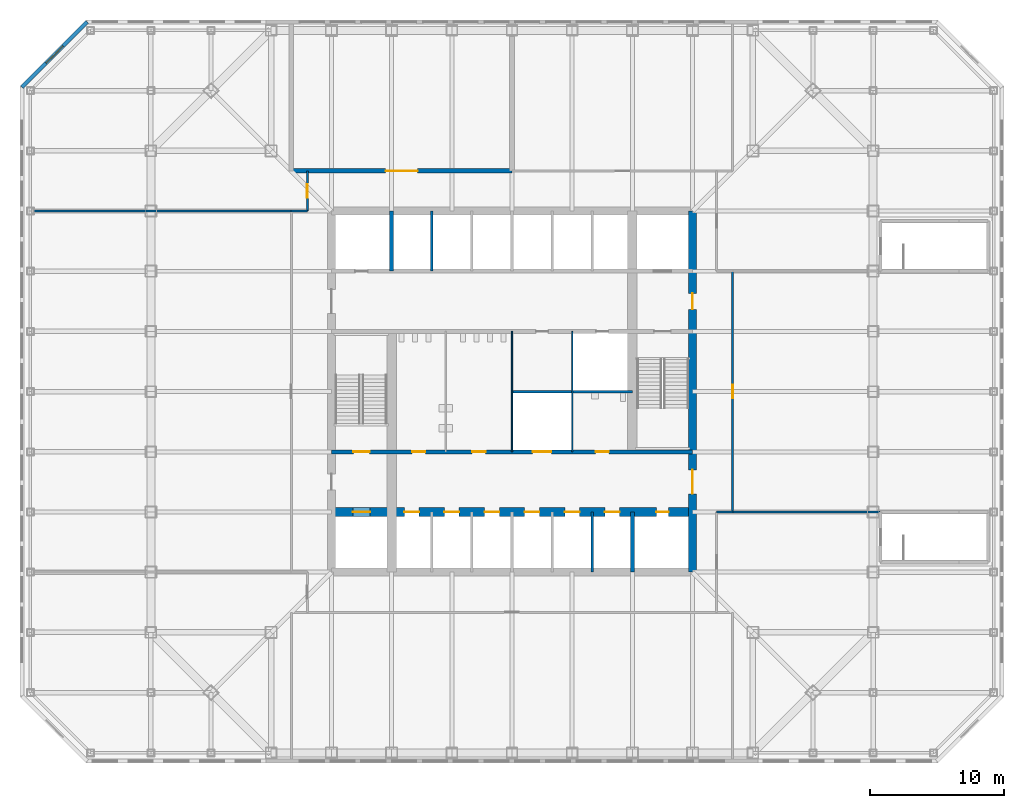
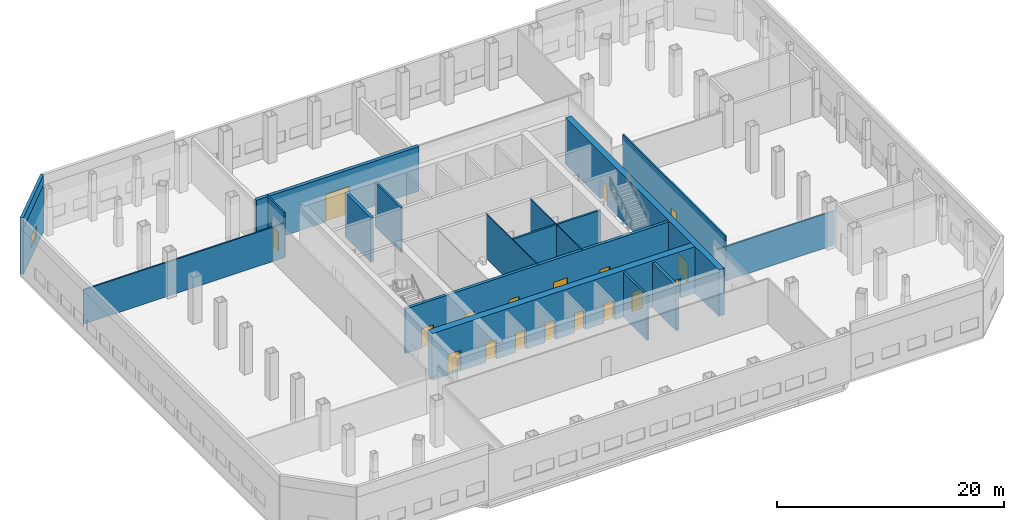
# One storey, part 8 of 14: 19 walls, 18 doors, 1 window, 19 openings.
"""IFC4 building model written with IfcOpenShell, lengths in metres."""

import ifcopenshell
import ifcopenshell.guid

model = None  # the IFC model being written
_history = None  # IfcOwnerHistory: only IFC2X3 demands one
_inside = {}  # id of a spatial element -> (the spatial element, [elements in it])
_under = {}  # id of a project, library or spatial element -> (it, [spatial elements below it])
_declared = {}  # id of a project -> (the project, [libraries it declares])
_typed = {}  # id of a type object -> (the type object, [elements of that type])
_made_of = {}  # id of a material, layer set ... -> (it, [elements and type objects made of it])


def new_model(schema):
    """Start an empty IFC model of exactly this schema.

    Asked for "IFC4X3", IfcOpenShell would pick the latest addendum, in which some entities
    have other attributes; the version numbers below select the first issue.
    IFC2X3 requires an IfcOwnerHistory on every rooted entity: one is made here for all.
    """
    global model, _history
    if schema == "IFC4X3":
        model = ifcopenshell.file(schema_version=(4, 3, 0, 0))
    else:
        model = ifcopenshell.file(schema=schema)
    _inside.clear()
    _under.clear()
    _declared.clear()
    _typed.clear()
    _made_of.clear()
    _history = None
    if model.schema == "IFC2X3":
        org = make("IfcOrganization", Name="unknown")
        user = make(
            "IfcPersonAndOrganization",
            ThePerson=make("IfcPerson", FamilyName="unknown"),
            TheOrganization=org,
        )
        app = make(
            "IfcApplication",
            ApplicationDeveloper=org,
            Version="unknown",
            ApplicationFullName="unknown",
            ApplicationIdentifier="unknown",
        )
        _history = make(
            "IfcOwnerHistory",
            OwningUser=user,
            OwningApplication=app,
            ChangeAction="ADDED",
            CreationDate=0,
        )
    return model


def make(cls, **values):
    """One entity of the class cls with the attributes given. An attribute that is None is left unset."""
    return model.create_entity(
        cls, **{name: value for name, value in values.items() if value is not None}
    )


def rooted(cls, **values):
    """An entity with a GlobalId (a new one), such as an element, a storey or a relation."""
    return make(cls, GlobalId=ifcopenshell.guid.new(), OwnerHistory=_history, **values)


def si_unit(unit_type, name, prefix=None):
    """IfcSIUnit, for example si_unit("LENGTHUNIT", "METRE", prefix="MILLI")."""
    return make("IfcSIUnit", UnitType=unit_type, Prefix=prefix, Name=name)


def assignment(units):
    """IfcUnitAssignment: the units of a project."""
    return None if units is None else make("IfcUnitAssignment", Units=units)


def point(xyz):
    """IfcCartesianPoint."""
    return None if xyz is None else make("IfcCartesianPoint", Coordinates=xyz)


def direction(xyz):
    """IfcDirection."""
    return None if xyz is None else make("IfcDirection", DirectionRatios=xyz)


def frame(location, z_axis=None, x_axis=None):
    """IfcAxis2Placement3D, a coordinate frame: its origin and axes. An axis left out is left unset."""
    return make(
        "IfcAxis2Placement3D",
        Location=point(location),
        Axis=direction(z_axis),
        RefDirection=direction(x_axis),
    )


def frame_2d(location, x_axis=None):
    """IfcAxis2Placement2D, a coordinate frame in the plane: its origin and x axis."""
    return make(
        "IfcAxis2Placement2D", Location=point(location), RefDirection=direction(x_axis)
    )


def origin():
    """The frame at (0, 0, 0) with its axes left unset."""
    return frame((0.0, 0.0, 0.0))


def place(relative_to, where):
    """IfcLocalPlacement: puts the frame where relative to a parent placement (None: the world)."""
    return make(
        "IfcLocalPlacement", PlacementRelTo=relative_to, RelativePlacement=where
    )


def context(
    kind, dimensions, precision=None, world=None, true_north=None, identifier=None
):
    """IfcGeometricRepresentationContext, for example the 3D "Model" context."""
    return make(
        "IfcGeometricRepresentationContext",
        ContextIdentifier=identifier,
        ContextType=kind,
        CoordinateSpaceDimension=dimensions,
        Precision=precision,
        WorldCoordinateSystem=world,
        TrueNorth=true_north,
    )


def subcontext(parent, identifier, kind, view, scale=None):
    """IfcGeometricRepresentationSubContext, for example "Body" below "Model"."""
    return make(
        "IfcGeometricRepresentationSubContext",
        ContextIdentifier=identifier,
        ContextType=kind,
        ParentContext=parent,
        TargetScale=scale,
        TargetView=view,
    )


def project(units=None, contexts=None):
    """IfcProject with its units and contexts."""
    return rooted(
        "IfcProject",
        Name="project",
        RepresentationContexts=contexts,
        UnitsInContext=assignment(units),
    )


def spatial(cls, under=None, at=None, **own):
    """A site, building, storey or space (cls), placed at a placement, below another one or the project."""
    s = rooted(cls, ObjectPlacement=at, **own)
    if under is not None:
        _under.setdefault(under.id(), (under, []))[1].append(s)
    return s


def profile(cls, at=None, kind="AREA", **sizes):
    """A parametric profile (cls). Its sizes go by their IFC names, for example OverallWidth=200.0."""
    return make(cls, ProfileType=kind, Position=at, **sizes)


def rectangle(**sizes):
    """IfcRectangleProfileDef."""
    return profile("IfcRectangleProfileDef", **sizes)


def extrude(swept, where, along, depth):
    """IfcExtrudedAreaSolid: the profile swept, set in the frame where, extruded along a direction by depth."""
    return make(
        "IfcExtrudedAreaSolid",
        SweptArea=swept,
        Position=where,
        ExtrudedDirection=direction(along),
        Depth=depth,
    )


def shape(context_of_items, identifier, shape_type, items):
    """IfcShapeRepresentation: the items that make up one representation, for example the "Body"."""
    return make(
        "IfcShapeRepresentation",
        ContextOfItems=context_of_items,
        RepresentationIdentifier=identifier,
        RepresentationType=shape_type,
        Items=items,
    )


def material(Name=None, Category=None):
    """IfcMaterial."""
    return make("IfcMaterial", Name=Name, Category=Category)


def layer(
    of_material, thickness, ventilated=None, Name=None, Category=None, Priority=None
):
    """IfcMaterialLayer: one layer of a wall or slab, of a material (None: an air gap)."""
    return make(
        "IfcMaterialLayer",
        Material=of_material,
        LayerThickness=thickness,
        IsVentilated=ventilated,
        Name=Name,
        Category=Category,
        Priority=Priority,
    )


def layer_set(layers, Name=None):
    """IfcMaterialLayerSet."""
    return make("IfcMaterialLayerSet", MaterialLayers=layers, LayerSetName=Name)


def made_of(thing, what):
    """Note that an element or type object is made of a material, layer set ...; save() writes the relation."""
    if what is not None:
        _made_of.setdefault(what.id(), (what, []))[1].append(thing)
    return thing


def type_object(cls, material=None, **own):
    """A type object (cls), such as IfcWallType, which elements share."""
    return made_of(rooted(cls, **own), material)


def element(
    cls,
    number,
    at=None,
    inside=None,
    cuts=None,
    type_object=None,
    material=None,
    context=None,
    identifier="Body",
    shape_type=None,
    held_by="IfcProductDefinitionShape",
    body=None,
    shapes=None,
    **own,
):
    """One element of the class cls, such as IfcWall. Its Tag is "e" and its number.

    at: its placement. inside: the storey or other place that contains it. cuts: it is an
    opening in that element (IfcRelVoidsElement). A single representation is given by context,
    identifier, shape_type and body (its items); several are given by shapes. held_by: the class
    of the entity that holds the representations. save() writes the other relations.
    """
    e = rooted(cls, Tag="e%d" % number, ObjectPlacement=at, **own)
    if body is not None:
        shapes = [shape(context, identifier, shape_type, body)]
    if shapes is not None:
        e.Representation = make(held_by, Representations=shapes)
    if inside is not None:
        _inside.setdefault(inside.id(), (inside, []))[1].append(e)
    if cuts is not None:
        rooted(
            "IfcRelVoidsElement", RelatingBuildingElement=cuts, RelatedOpeningElement=e
        )
    if type_object is not None:
        _typed.setdefault(type_object.id(), (type_object, []))[1].append(e)
    return made_of(e, material)


def fill(opening, filler):
    """IfcRelFillsElement: the door or window that sits in an opening."""
    return rooted(
        "IfcRelFillsElement",
        RelatingOpeningElement=opening,
        RelatedBuildingElement=filler,
    )


def aggregate(whole, parts):
    """IfcRelAggregates: a whole, such as a stair, and the parts it consists of."""
    return rooted("IfcRelAggregates", RelatingObject=whole, RelatedObjects=parts)


def save(model, path):
    """Write the relations noted so far, then the file.

    IfcRelAggregates (storeys below a building ...), IfcRelContainedInSpatialStructure (elements
    in a storey), IfcRelDefinesByType, IfcRelAssociatesMaterial and IfcRelDeclares: one each for
    every whole, place, type object, material and project.
    """
    for whole, parts in _under.values():
        aggregate(whole, parts)
    for where, things in _inside.values():
        rooted(
            "IfcRelContainedInSpatialStructure",
            RelatedElements=things,
            RelatingStructure=where,
        )
    for kind, things in _typed.values():
        rooted("IfcRelDefinesByType", RelatedObjects=things, RelatingType=kind)
    for what, things in _made_of.values():
        rooted("IfcRelAssociatesMaterial", RelatedObjects=things, RelatingMaterial=what)
    for by, libraries in _declared.values():
        rooted("IfcRelDeclares", RelatingContext=by, RelatedDefinitions=libraries)
    model.write(path)


model = new_model("IFC4")

# Units and contexts
model_context = context("Model", 3, precision=1e-05, world=origin(), true_north=direction((0.0, 1.0)))
body_context = subcontext(model_context, "Body", "Model", "MODEL_VIEW")
ifc_project = project(units=[si_unit("LENGTHUNIT", "METRE"), si_unit("AREAUNIT", "SQUARE_METRE"), si_unit("VOLUMEUNIT", "CUBIC_METRE"), si_unit("PLANEANGLEUNIT", "RADIAN"), si_unit("MASSUNIT", "GRAM", prefix="KILO")], contexts=[model_context])

# Site, building, storey
site_placement = place(None, origin())
site = spatial("IfcSite", under=ifc_project, at=site_placement, CompositionType="ELEMENT")
building_placement = place(site_placement, origin())
building = spatial("IfcBuilding", under=site, at=building_placement, Name="Corais Broadcast Tower", CompositionType="ELEMENT")
storey_placement = place(building_placement, frame((0.0, 0.0, 18.0)))
storey = spatial("IfcBuildingStorey", under=building, at=storey_placement, Name="L03", CompositionType="ELEMENT", Elevation=18.0)

# Walls
ifc_material_1 = material(Name="Concrete blockwork class A, grouted, two-hour", Category="masonry")
ifc_layer_1 = layer(ifc_material_1, 0.300048828125)
ifc_layer_set_1 = layer_set([ifc_layer_1], Name="Concrete blockwork class A, grouted, two-hour")
wall_type_1 = type_object("IfcWallType", Name="Core lobby wall 300", PredefinedType="SOLIDWALL", material=ifc_layer_set_1)
for number, where, z_axis, x_axis, name in (
    (1, (18.0, 36.0, 0.0), (0.0, 0.0, 1.0), (0.0, 1.0, 0.0), "CL1 core shaft wall X18B L03"),
    (2, (36.0, 13.5, 0.0), (0.0, 0.0, 1.0), (0.0, 1.0, 0.0), "CL1 core shaft wall X36A L03"),
):
    element("IfcWall", number, at=place(storey_placement, frame(where, z_axis=z_axis, x_axis=x_axis)), inside=storey, type_object=wall_type_1, Name=name, PredefinedType="SOLIDWALL", context=body_context, shape_type="SweptSolid", body=[
        extrude(rectangle(XDim=4.5, YDim=0.300048828125, at=frame_2d((2.25, 0.0))), origin(), (0.0, 0.0, 1.0), 4.800048828125),
    ])

# Wall, openings, doors
wall_1_placement = place(storey_placement, frame((13.5, 22.5, 0.0), z_axis=(0.0, 0.0, 1.0), x_axis=(1.0, 0.0, 0.0)))
wall_1 = element("IfcWall", 3, at=wall_1_placement, inside=storey, type_object=wall_type_1, Name="CL1 core lobby wall Y225 L03", PredefinedType="SOLIDWALL", context=body_context, shape_type="SweptSolid", body=[
    extrude(rectangle(XDim=27.0, YDim=0.300048828125, at=frame_2d((13.5, 0.0))), origin(), (0.0, 0.0, 1.0), 4.800048828125),
])
opening_1_placement = place(wall_1_placement, frame((1.64990234375, 0.0, 0.0)))
opening_1 = element("IfcOpeningElement", 4, at=opening_1_placement, cuts=wall_1, Name="Opening FD1", PredefinedType="OPENING", context=body_context, shape_type="SweptSolid", body=[
    extrude(rectangle(XDim=1.199951171875, YDim=2.10009765625, at=frame_2d((0.60009765625, 1.050048828125))), frame((0.0, 0.159912109375, 0.0), z_axis=(0.0, -1.0, 0.0), x_axis=(1.0, 0.0, 0.0)), (0.0, 0.0, 1.0), 0.320068359375),
])
opening_2_placement = place(wall_1_placement, frame((6.02490234375, 0.0, 0.0)))
opening_2 = element("IfcOpeningElement", 5, at=opening_2_placement, cuts=wall_1, Name="Opening WD1", PredefinedType="OPENING", context=body_context, shape_type="SweptSolid", body=[
    extrude(rectangle(XDim=1.0, YDim=2.10009765625, at=frame_2d((0.5, 1.050048828125))), frame((0.0, 0.159912109375, 0.0), z_axis=(0.0, -1.0, 0.0), x_axis=(1.0, 0.0, 0.0)), (0.0, 0.0, 1.0), 0.320068359375),
])
opening_3_placement = place(wall_1_placement, frame((10.52490234375, 0.0, 0.0)))
opening_3 = element("IfcOpeningElement", 6, at=opening_3_placement, cuts=wall_1, Name="Opening WD1", PredefinedType="OPENING", context=body_context, shape_type="SweptSolid", body=[
    extrude(rectangle(XDim=1.0, YDim=2.10009765625, at=frame_2d((0.5, 1.050048828125))), frame((0.0, 0.159912109375, 0.0), z_axis=(0.0, -1.0, 0.0), x_axis=(1.0, 0.0, 0.0)), (0.0, 0.0, 1.0), 0.320068359375),
])
opening_4_placement = place(wall_1_placement, frame((19.75, 0.0, 0.0)))
opening_4 = element("IfcOpeningElement", 7, at=opening_4_placement, cuts=wall_1, Name="Opening WD1", PredefinedType="OPENING", context=body_context, shape_type="SweptSolid", body=[
    extrude(rectangle(XDim=1.0, YDim=2.10009765625, at=frame_2d((0.5, 1.050048828125))), frame((0.0, 0.159912109375, 0.0), z_axis=(0.0, -1.0, 0.0), x_axis=(1.0, 0.0, 0.0)), (0.0, 0.0, 1.0), 0.320068359375),
])
opening_5_placement = place(wall_1_placement, frame((15.050048828125, 0.0, 0.0)))
opening_5 = element("IfcOpeningElement", 8, at=opening_5_placement, cuts=wall_1, Name="Opening LD3", PredefinedType="OPENING", context=body_context, shape_type="SweptSolid", body=[
    extrude(rectangle(XDim=1.39990234375, YDim=2.39990234375, at=frame_2d((0.699951171875, 1.199951171875))), frame((0.0, 0.159912109375, 0.0), z_axis=(0.0, -1.0, 0.0), x_axis=(1.0, 0.0, 0.0)), (0.0, 0.0, 1.0), 0.320068359375),
])
ifc_material_2 = material(Name="Steel fire door", Category="steel")
door_type_1 = type_object("IfcDoorType", Name="Fire door 1200x2100", OperationType="SINGLE_SWING_LEFT", PredefinedType="DOOR", material=ifc_material_2)
door_1_placement = place(opening_1_placement, origin())
door_1 = element("IfcDoor", 9, at=door_1_placement, inside=storey, type_object=door_type_1, Name="FD1 stair A door L03", OperationType="SINGLE_SWING_LEFT", OverallHeight=2.10009765625, OverallWidth=1.199951171875, PredefinedType="DOOR", context=body_context, shape_type="SweptSolid", body=[
    extrude(rectangle(XDim=1.199951171875, YDim=2.10009765625, at=frame_2d((0.60009765625, 1.050048828125))), frame((0.0, 0.02490234375, 0.0), z_axis=(0.0, -1.0, 0.0), x_axis=(1.0, 0.0, 0.0)), (0.0, 0.0, 1.0), 0.050048828125),
])
fill(opening_1, door_1)
ifc_material_3 = material(Name="Stainless steel lift door", Category="steel")
door_type_2 = type_object("IfcDoorType", Name="Service lift landing door 1400x2400", OperationType="SLIDING_TO_LEFT", PredefinedType="DOOR", material=ifc_material_3)
door_2_placement = place(opening_5_placement, origin())
door_2 = element("IfcDoor", 10, at=door_2_placement, inside=storey, type_object=door_type_2, Name="LD3 SL1 landing door L03", OperationType="SLIDING_TO_LEFT", OverallHeight=2.39990234375, OverallWidth=1.39990234375, PredefinedType="DOOR", context=body_context, shape_type="SweptSolid", body=[
    extrude(rectangle(XDim=1.39990234375, YDim=2.39990234375, at=frame_2d((0.699951171875, 1.199951171875))), frame((0.0, 0.02490234375, 0.0), z_axis=(0.0, -1.0, 0.0), x_axis=(1.0, 0.0, 0.0)), (0.0, 0.0, 1.0), 0.050048828125),
])
fill(opening_5, door_2)
ifc_material_4 = material(Name="Timber door", Category="wood")
door_type_3 = type_object("IfcDoorType", Name="Toilet door 1000x2100", OperationType="SINGLE_SWING_LEFT", PredefinedType="DOOR", material=ifc_material_4)
door_3_placement = place(opening_2_placement, origin())
door_3 = element("IfcDoor", 11, at=door_3_placement, inside=storey, type_object=door_type_3, Name="WD1 WC male door L03", OperationType="SINGLE_SWING_LEFT", OverallHeight=2.10009765625, OverallWidth=1.0, PredefinedType="DOOR", context=body_context, shape_type="SweptSolid", body=[
    extrude(rectangle(XDim=1.0, YDim=2.10009765625, at=frame_2d((0.5, 1.050048828125))), frame((0.0, 0.02490234375, 0.0), z_axis=(0.0, -1.0, 0.0), x_axis=(1.0, 0.0, 0.0)), (0.0, 0.0, 1.0), 0.050048828125),
])
fill(opening_2, door_3)
door_4_placement = place(opening_3_placement, origin())
door_4 = element("IfcDoor", 12, at=door_4_placement, inside=storey, type_object=door_type_3, Name="WD1 WC female door L03", OperationType="SINGLE_SWING_LEFT", OverallHeight=2.10009765625, OverallWidth=1.0, PredefinedType="DOOR", context=body_context, shape_type="SweptSolid", body=[
    extrude(rectangle(XDim=1.0, YDim=2.10009765625, at=frame_2d((0.5, 1.050048828125))), frame((0.0, 0.02490234375, 0.0), z_axis=(0.0, -1.0, 0.0), x_axis=(1.0, 0.0, 0.0)), (0.0, 0.0, 1.0), 0.050048828125),
])
fill(opening_3, door_4)
door_5_placement = place(opening_4_placement, origin())
door_5 = element("IfcDoor", 13, at=door_5_placement, inside=storey, type_object=door_type_3, Name="WD1 accessible WC door L03", OperationType="SINGLE_SWING_RIGHT", OverallHeight=2.10009765625, OverallWidth=1.0, PredefinedType="DOOR", context=body_context, shape_type="SweptSolid", body=[
    extrude(rectangle(XDim=1.0, YDim=2.10009765625, at=frame_2d((0.5, 1.050048828125))), frame((0.0, 0.02490234375, 0.0), z_axis=(0.0, -1.0, 0.0), x_axis=(1.0, 0.0, 0.0)), (0.0, 0.0, 1.0), 0.050048828125),
])
fill(opening_4, door_5)

ifc_material_5 = material(Name="Concrete C50/60", Category="concrete")
ifc_layer_2 = layer(ifc_material_5, 0.699951171875)
ifc_layer_set_2 = layer_set([ifc_layer_2], Name="Concrete C50/60")
wall_type_2 = type_object("IfcWallType", Name="Core spine wall 700", PredefinedType="SHEAR", material=ifc_layer_set_2)
wall_2_placement = place(storey_placement, frame((13.5, 18.0, 0.0), z_axis=(0.0, 0.0, 1.0), x_axis=(1.0, 0.0, 0.0)))
wall_2 = element("IfcWall", 14, at=wall_2_placement, inside=storey, type_object=wall_type_2, Name="CR700 core wall Y18 L03", PredefinedType="SHEAR", context=body_context, shape_type="SweptSolid", body=[
    extrude(rectangle(XDim=27.0, YDim=0.699951171875, at=frame_2d((13.5, 0.0))), origin(), (0.0, 0.0, 1.0), 5.0),
])
opening_6_placement = place(wall_2_placement, frame((24.300048828125, 0.0, 0.0)))
opening_6 = element("IfcOpeningElement", 15, at=opening_6_placement, cuts=wall_2, Name="Opening RD1", PredefinedType="OPENING", context=body_context, shape_type="SweptSolid", body=[
    extrude(rectangle(XDim=0.89990234375, YDim=2.10009765625, at=frame_2d((0.449951171875, 1.050048828125))), frame((0.0, 0.35986328125, 0.0), z_axis=(0.0, -1.0, 0.0), x_axis=(1.0, 0.0, 0.0)), (0.0, 0.0, 1.0), 0.719970703125),
])
opening_7_placement = place(wall_2_placement, frame((5.449951171875, 0.0, 0.0)))
opening_7 = element("IfcOpeningElement", 16, at=opening_7_placement, cuts=wall_2, Name="Opening LD1", PredefinedType="OPENING", context=body_context, shape_type="SweptSolid", body=[
    extrude(rectangle(XDim=1.10009765625, YDim=2.10009765625, at=frame_2d((0.550048828125, 1.050048828125))), frame((0.0, 0.35986328125, 0.0), z_axis=(0.0, -1.0, 0.0), x_axis=(1.0, 0.0, 0.0)), (0.0, 0.0, 1.0), 0.719970703125),
])
opening_8_placement = place(wall_2_placement, frame((8.449951171875, 0.0, 0.0)))
opening_8 = element("IfcOpeningElement", 17, at=opening_8_placement, cuts=wall_2, Name="Opening LD1", PredefinedType="OPENING", context=body_context, shape_type="SweptSolid", body=[
    extrude(rectangle(XDim=1.10009765625, YDim=2.10009765625, at=frame_2d((0.550048828125, 1.050048828125))), frame((0.0, 0.35986328125, 0.0), z_axis=(0.0, -1.0, 0.0), x_axis=(1.0, 0.0, 0.0)), (0.0, 0.0, 1.0), 0.719970703125),
])
opening_9_placement = place(wall_2_placement, frame((11.449951171875, 0.0, 0.0)))
opening_9 = element("IfcOpeningElement", 18, at=opening_9_placement, cuts=wall_2, Name="Opening LD1", PredefinedType="OPENING", context=body_context, shape_type="SweptSolid", body=[
    extrude(rectangle(XDim=1.10009765625, YDim=2.10009765625, at=frame_2d((0.550048828125, 1.050048828125))), frame((0.0, 0.35986328125, 0.0), z_axis=(0.0, -1.0, 0.0), x_axis=(1.0, 0.0, 0.0)), (0.0, 0.0, 1.0), 0.719970703125),
])
opening_10_placement = place(wall_2_placement, frame((14.449951171875, 0.0, 0.0)))
opening_10 = element("IfcOpeningElement", 19, at=opening_10_placement, cuts=wall_2, Name="Opening LD1", PredefinedType="OPENING", context=body_context, shape_type="SweptSolid", body=[
    extrude(rectangle(XDim=1.10009765625, YDim=2.10009765625, at=frame_2d((0.550048828125, 1.050048828125))), frame((0.0, 0.35986328125, 0.0), z_axis=(0.0, -1.0, 0.0), x_axis=(1.0, 0.0, 0.0)), (0.0, 0.0, 1.0), 0.719970703125),
])
opening_11_placement = place(wall_2_placement, frame((17.449951171875, 0.0, 0.0)))
opening_11 = element("IfcOpeningElement", 20, at=opening_11_placement, cuts=wall_2, Name="Opening LD1", PredefinedType="OPENING", context=body_context, shape_type="SweptSolid", body=[
    extrude(rectangle(XDim=1.10009765625, YDim=2.10009765625, at=frame_2d((0.550048828125, 1.050048828125))), frame((0.0, 0.35986328125, 0.0), z_axis=(0.0, -1.0, 0.0), x_axis=(1.0, 0.0, 0.0)), (0.0, 0.0, 1.0), 0.719970703125),
])
opening_12_placement = place(wall_2_placement, frame((20.449951171875, 0.0, 0.0)))
opening_12 = element("IfcOpeningElement", 21, at=opening_12_placement, cuts=wall_2, Name="Opening LD1", PredefinedType="OPENING", context=body_context, shape_type="SweptSolid", body=[
    extrude(rectangle(XDim=1.10009765625, YDim=2.10009765625, at=frame_2d((0.550048828125, 1.050048828125))), frame((0.0, 0.35986328125, 0.0), z_axis=(0.0, -1.0, 0.0), x_axis=(1.0, 0.0, 0.0)), (0.0, 0.0, 1.0), 0.719970703125),
])
opening_13_placement = place(wall_2_placement, frame((1.60009765625, 0.0, 0.0)))
opening_13 = element("IfcOpeningElement", 22, at=opening_13_placement, cuts=wall_2, Name="Opening LD2", PredefinedType="OPENING", context=body_context, shape_type="SweptSolid", body=[
    extrude(rectangle(XDim=1.300048828125, YDim=2.199951171875, at=frame_2d((0.64990234375, 1.10009765625))), frame((0.0, 0.35986328125, 0.0), z_axis=(0.0, -1.0, 0.0), x_axis=(1.0, 0.0, 0.0)), (0.0, 0.0, 1.0), 0.719970703125),
])
ifc_material_6 = material(Name="Stainless steel lift door", Category="steel")
door_type_4 = type_object("IfcDoorType", Name="Lift landing door 1100x2100", OperationType="SLIDING_TO_LEFT", PredefinedType="DOOR", material=ifc_material_6)
door_6_placement = place(opening_7_placement, origin())
door_6 = element("IfcDoor", 23, at=door_6_placement, inside=storey, type_object=door_type_4, Name="LD1 PL1 landing door L03", OperationType="SLIDING_TO_LEFT", OverallHeight=2.10009765625, OverallWidth=1.10009765625, PredefinedType="DOOR", context=body_context, shape_type="SweptSolid", body=[
    extrude(rectangle(XDim=1.10009765625, YDim=2.10009765625, at=frame_2d((0.550048828125, 1.050048828125))), frame((0.0, 0.02490234375, 0.0), z_axis=(0.0, -1.0, 0.0), x_axis=(1.0, 0.0, 0.0)), (0.0, 0.0, 1.0), 0.050048828125),
])
fill(opening_7, door_6)
door_7_placement = place(opening_8_placement, origin())
door_7 = element("IfcDoor", 24, at=door_7_placement, inside=storey, type_object=door_type_4, Name="LD1 PL2 landing door L03", OperationType="SLIDING_TO_LEFT", OverallHeight=2.10009765625, OverallWidth=1.10009765625, PredefinedType="DOOR", context=body_context, shape_type="SweptSolid", body=[
    extrude(rectangle(XDim=1.10009765625, YDim=2.10009765625, at=frame_2d((0.550048828125, 1.050048828125))), frame((0.0, 0.02490234375, 0.0), z_axis=(0.0, -1.0, 0.0), x_axis=(1.0, 0.0, 0.0)), (0.0, 0.0, 1.0), 0.050048828125),
])
fill(opening_8, door_7)
door_8_placement = place(opening_9_placement, origin())
door_8 = element("IfcDoor", 25, at=door_8_placement, inside=storey, type_object=door_type_4, Name="LD1 PL3 landing door L03", OperationType="SLIDING_TO_LEFT", OverallHeight=2.10009765625, OverallWidth=1.10009765625, PredefinedType="DOOR", context=body_context, shape_type="SweptSolid", body=[
    extrude(rectangle(XDim=1.10009765625, YDim=2.10009765625, at=frame_2d((0.550048828125, 1.050048828125))), frame((0.0, 0.02490234375, 0.0), z_axis=(0.0, -1.0, 0.0), x_axis=(1.0, 0.0, 0.0)), (0.0, 0.0, 1.0), 0.050048828125),
])
fill(opening_9, door_8)
door_9_placement = place(opening_10_placement, origin())
door_9 = element("IfcDoor", 26, at=door_9_placement, inside=storey, type_object=door_type_4, Name="LD1 PL4 landing door L03", OperationType="SLIDING_TO_LEFT", OverallHeight=2.10009765625, OverallWidth=1.10009765625, PredefinedType="DOOR", context=body_context, shape_type="SweptSolid", body=[
    extrude(rectangle(XDim=1.10009765625, YDim=2.10009765625, at=frame_2d((0.550048828125, 1.050048828125))), frame((0.0, 0.02490234375, 0.0), z_axis=(0.0, -1.0, 0.0), x_axis=(1.0, 0.0, 0.0)), (0.0, 0.0, 1.0), 0.050048828125),
])
fill(opening_10, door_9)
door_10_placement = place(opening_11_placement, origin())
door_10 = element("IfcDoor", 27, at=door_10_placement, inside=storey, type_object=door_type_4, Name="LD1 PL5 landing door L03", OperationType="SLIDING_TO_LEFT", OverallHeight=2.10009765625, OverallWidth=1.10009765625, PredefinedType="DOOR", context=body_context, shape_type="SweptSolid", body=[
    extrude(rectangle(XDim=1.10009765625, YDim=2.10009765625, at=frame_2d((0.550048828125, 1.050048828125))), frame((0.0, 0.02490234375, 0.0), z_axis=(0.0, -1.0, 0.0), x_axis=(1.0, 0.0, 0.0)), (0.0, 0.0, 1.0), 0.050048828125),
])
fill(opening_11, door_10)
door_11_placement = place(opening_12_placement, origin())
door_11 = element("IfcDoor", 28, at=door_11_placement, inside=storey, type_object=door_type_4, Name="LD1 PL6 landing door L03", OperationType="SLIDING_TO_LEFT", OverallHeight=2.10009765625, OverallWidth=1.10009765625, PredefinedType="DOOR", context=body_context, shape_type="SweptSolid", body=[
    extrude(rectangle(XDim=1.10009765625, YDim=2.10009765625, at=frame_2d((0.550048828125, 1.050048828125))), frame((0.0, 0.02490234375, 0.0), z_axis=(0.0, -1.0, 0.0), x_axis=(1.0, 0.0, 0.0)), (0.0, 0.0, 1.0), 0.050048828125),
])
fill(opening_12, door_11)
ifc_material_7 = material(Name="Stainless steel lift door", Category="steel")
door_type_5 = type_object("IfcDoorType", Name="Lift landing door 1300x2200", OperationType="SLIDING_TO_LEFT", PredefinedType="DOOR", material=ifc_material_7)
door_12_placement = place(opening_13_placement, origin())
door_12 = element("IfcDoor", 29, at=door_12_placement, inside=storey, type_object=door_type_5, Name="LD2 FL1 landing door L03", OperationType="SLIDING_TO_LEFT", OverallHeight=2.199951171875, OverallWidth=1.300048828125, PredefinedType="DOOR", context=body_context, shape_type="SweptSolid", body=[
    extrude(rectangle(XDim=1.300048828125, YDim=2.199951171875, at=frame_2d((0.64990234375, 1.10009765625))), frame((0.0, 0.02490234375, 0.0), z_axis=(0.0, -1.0, 0.0), x_axis=(1.0, 0.0, 0.0)), (0.0, 0.0, 1.0), 0.050048828125),
])
fill(opening_13, door_12)
ifc_material_8 = material(Name="Steel fire door", Category="steel")
door_type_6 = type_object("IfcDoorType", Name="Riser door 900x2100", OperationType="SINGLE_SWING_LEFT", PredefinedType="DOOR", material=ifc_material_8)
door_13_placement = place(opening_6_placement, origin())
door_13 = element("IfcDoor", 30, at=door_13_placement, inside=storey, type_object=door_type_6, Name="RD1 riser door L03", OperationType="SINGLE_SWING_RIGHT", OverallHeight=2.10009765625, OverallWidth=0.89990234375, PredefinedType="DOOR", context=body_context, shape_type="SweptSolid", body=[
    extrude(rectangle(XDim=0.89990234375, YDim=2.10009765625, at=frame_2d((0.449951171875, 1.050048828125))), frame((0.0, 0.02490234375, 0.0), z_axis=(0.0, -1.0, 0.0), x_axis=(1.0, 0.0, 0.0)), (0.0, 0.0, 1.0), 0.050048828125),
])
fill(opening_6, door_13)

ifc_material_9 = material(Name="Concrete C50/60", Category="concrete")
ifc_layer_3 = layer(ifc_material_9, 0.60009765625)
ifc_layer_set_3 = layer_set([ifc_layer_3], Name="Concrete C50/60")
wall_type_3 = type_object("IfcWallType", Name="Core wall 600", PredefinedType="SHEAR", material=ifc_layer_set_3)
wall_3_placement = place(storey_placement, frame((40.5, 13.5, 0.0), z_axis=(0.0, 0.0, 1.0), x_axis=(0.0, 1.0, 0.0)))
wall_3 = element("IfcWall", 31, at=wall_3_placement, inside=storey, type_object=wall_type_3, Name="CR600 core wall E L03", PredefinedType="SHEAR", context=body_context, shape_type="SweptSolid", body=[
    extrude(rectangle(XDim=27.0, YDim=0.60009765625, at=frame_2d((13.5, 0.0))), origin(), (0.0, 0.0, 1.0), 5.0),
])
opening_14_placement = place(wall_3_placement, frame((5.85009765625, 0.0, 0.0)))
opening_14 = element("IfcOpeningElement", 32, at=opening_14_placement, cuts=wall_3, Name="Opening FD2", PredefinedType="OPENING", context=body_context, shape_type="SweptSolid", body=[
    extrude(rectangle(XDim=1.800048828125, YDim=2.10009765625, at=frame_2d((0.89990234375, 1.050048828125))), frame((0.0, 0.31005859375, 0.0), z_axis=(0.0, -1.0, 0.0), x_axis=(1.0, 0.0, 0.0)), (0.0, 0.0, 1.0), 0.6201171875),
])
opening_15_placement = place(wall_3_placement, frame((19.64990234375, 0.0, 0.0)))
opening_15 = element("IfcOpeningElement", 33, at=opening_15_placement, cuts=wall_3, Name="Opening FD1", PredefinedType="OPENING", context=body_context, shape_type="SweptSolid", body=[
    extrude(rectangle(XDim=1.199951171875, YDim=2.10009765625, at=frame_2d((0.60009765625, 1.050048828125))), frame((0.0, 0.31005859375, 0.0), z_axis=(0.0, -1.0, 0.0), x_axis=(1.0, 0.0, 0.0)), (0.0, 0.0, 1.0), 0.6201171875),
])
door_14_placement = place(opening_15_placement, origin())
door_14 = element("IfcDoor", 34, at=door_14_placement, inside=storey, type_object=door_type_1, Name="FD1 fire lobby B door L03", OperationType="SINGLE_SWING_RIGHT", OverallHeight=2.10009765625, OverallWidth=1.199951171875, PredefinedType="DOOR", context=body_context, shape_type="SweptSolid", body=[
    extrude(rectangle(XDim=1.199951171875, YDim=2.10009765625, at=frame_2d((0.60009765625, 1.050048828125))), frame((0.0, 0.02490234375, 0.0), z_axis=(0.0, -1.0, 0.0), x_axis=(1.0, 0.0, 0.0)), (0.0, 0.0, 1.0), 0.050048828125),
])
fill(opening_15, door_14)
ifc_material_10 = material(Name="Steel fire door", Category="steel")
door_type_7 = type_object("IfcDoorType", Name="Fire door pair 1800x2100", OperationType="DOUBLE_DOOR_SINGLE_SWING", PredefinedType="DOOR", material=ifc_material_10)
door_15_placement = place(opening_14_placement, origin())
door_15 = element("IfcDoor", 35, at=door_15_placement, inside=storey, type_object=door_type_7, Name="FD2 lift lobby door L03", OperationType="SINGLE_SWING_LEFT", OverallHeight=2.10009765625, OverallWidth=1.800048828125, PredefinedType="DOOR", context=body_context, shape_type="SweptSolid", body=[
    extrude(rectangle(XDim=1.800048828125, YDim=2.10009765625, at=frame_2d((0.89990234375, 1.050048828125))), frame((0.0, 0.02490234375, 0.0), z_axis=(0.0, -1.0, 0.0), x_axis=(1.0, 0.0, 0.0)), (0.0, 0.0, 1.0), 0.050048828125),
])
fill(opening_14, door_15)

# Wall, opening, door
ifc_material_11 = material(Name="Two leaves of dense concrete blockwork class A with a 50 mm cavity", Category="masonry")
ifc_layer_4 = layer(ifc_material_11, 0.35009765625)
ifc_layer_set_4 = layer_set([ifc_layer_4], Name="Two leaves of dense concrete blockwork class A with a 50 mm cavity")
wall_type_4 = type_object("IfcWallType", Name="Double-leaf acoustic partition 350", PredefinedType="PARTITIONING", material=ifc_layer_set_4)
wall_4_placement = place(storey_placement, frame((10.5, 43.5, 0.0), z_axis=(0.0, 0.0, 1.0), x_axis=(1.0, 0.0, 0.0)))
wall_4 = element("IfcWall", 36, at=wall_4_placement, inside=storey, type_object=wall_type_4, Name="IW4 partition L03", PredefinedType="PARTITIONING", context=body_context, shape_type="SweptSolid", body=[
    extrude(rectangle(XDim=16.5, YDim=0.35009765625, at=frame_2d((8.25, 0.0))), origin(), (0.0, 0.0, 1.0), 4.800048828125),
])
opening_16_placement = place(wall_4_placement, frame((7.050048828125, 0.0, 0.0)))
opening_16 = element("IfcOpeningElement", 37, at=opening_16_placement, cuts=wall_4, Name="Opening D3", PredefinedType="OPENING", context=body_context, shape_type="SweptSolid", body=[
    extrude(rectangle(XDim=2.39990234375, YDim=3.0, at=frame_2d((1.199951171875, 1.5))), frame((0.0, 0.18505859375, 0.0), z_axis=(0.0, -1.0, 0.0), x_axis=(1.0, 0.0, 0.0)), (0.0, 0.0, 1.0), 0.3701171875),
])
ifc_material_12 = material(Name="Acoustic steel door", Category="steel")
door_type_8 = type_object("IfcDoorType", Name="Studio double door 2400x3000", OperationType="DOUBLE_DOOR_SINGLE_SWING", PredefinedType="DOOR", material=ifc_material_12)
door_16_placement = place(opening_16_placement, origin())
door_16 = element("IfcDoor", 38, at=door_16_placement, inside=storey, type_object=door_type_8, Name="D3 Radio studios door", OperationType="SINGLE_SWING_LEFT", OverallHeight=3.0, OverallWidth=2.39990234375, PredefinedType="DOOR", context=body_context, shape_type="SweptSolid", body=[
    extrude(rectangle(XDim=2.39990234375, YDim=3.0, at=frame_2d((1.199951171875, 1.5))), frame((0.0, 0.02490234375, 0.0), z_axis=(0.0, -1.0, 0.0), x_axis=(1.0, 0.0, 0.0)), (0.0, 0.0, 1.0), 0.050048828125),
])
fill(opening_16, door_16)

# Walls
ifc_material_13 = material(Name="Precast concrete C40/50", Category="concrete")
ifc_layer_5 = layer(ifc_material_13, 0.300048828125)
ifc_layer_set_5 = layer_set([ifc_layer_5], Name="Precast concrete C40/50")
wall_type_5 = type_object("IfcWallType", Name="Parapet wall 300", PredefinedType="PARAPET", material=ifc_layer_set_5)
wall_5_placement = place(storey_placement, frame((-9.6298828125, 49.760986328125, 5.0), z_axis=(0.0, 0.0, 1.0), x_axis=(0.707106781187, 0.707106781187, 0.0)))
element("IfcWall", 39, at=wall_5_placement, inside=storey, type_object=wall_type_5, Name="PW1 parapet L03", PredefinedType="PARAPET", context=body_context, shape_type="SweptSolid", body=[
    extrude(rectangle(XDim=6.8857421875, YDim=0.300048828125, at=frame_2d((3.44287109375, 0.0))), origin(), (0.0, 0.0, 1.0), 1.10009765625),
])
ifc_material_14 = material(Name="Gypsum board on steel studs", Category="steel")
ifc_layer_6 = layer(ifc_material_14, 0.14990234375)
ifc_layer_set_6 = layer_set([ifc_layer_6], Name="Gypsum board on steel studs")
wall_type_6 = type_object("IfcWallType", Name="Partition 150", PredefinedType="PARTITIONING", material=ifc_layer_set_6)
wall_6_placement = place(storey_placement, frame((42.300048828125, 18.0, 0.0), z_axis=(0.0, 0.0, 1.0), x_axis=(1.0, 0.0, 0.0)))
element("IfcWall", 40, at=wall_6_placement, inside=storey, type_object=wall_type_6, Name="IW3 corridor wall L03", PredefinedType="PARTITIONING", context=body_context, shape_type="SweptSolid", body=[
    extrude(rectangle(XDim=1.2099609375, YDim=0.14990234375, at=frame_2d((0.60498046875, 0.0))), origin(), (0.0, 0.0, 1.0), 3.681884765625),
])

# Wall, opening, door
wall_7_placement = place(storey_placement, frame((11.699951171875, 43.5, 0.0), z_axis=(0.0, 0.0, 1.0), x_axis=(0.0, -1.0, 0.0)))
wall_7 = element("IfcWall", 41, at=wall_7_placement, inside=storey, type_object=wall_type_6, Name="IW3 corridor wall L03", PredefinedType="PARTITIONING", context=body_context, shape_type="SweptSolid", body=[
    extrude(rectangle(XDim=3.0, YDim=0.14990234375, at=frame_2d((1.5, 0.0))), origin(), (0.0, 0.0, 1.0), 4.800048828125),
])
opening_17_placement = place(wall_7_placement, frame((1.0, 0.0, 0.0)))
opening_17 = element("IfcOpeningElement", 42, at=opening_17_placement, cuts=wall_7, Name="Opening D1", PredefinedType="OPENING", context=body_context, shape_type="SweptSolid", body=[
    extrude(rectangle(XDim=1.0, YDim=2.10009765625, at=frame_2d((0.5, 1.050048828125))), frame((0.0, 0.0849609375, 0.0), z_axis=(0.0, -1.0, 0.0), x_axis=(1.0, 0.0, 0.0)), (0.0, 0.0, 1.0), 0.169921875),
])
ifc_material_15 = material(Name="Timber door", Category="wood")
door_type_9 = type_object("IfcDoorType", Name="Single door 1000x2100", OperationType="SINGLE_SWING_LEFT", PredefinedType="DOOR", material=ifc_material_15)
door_17_placement = place(opening_17_placement, origin())
door_17 = element("IfcDoor", 43, at=door_17_placement, inside=storey, type_object=door_type_9, Name="D1 workplace door L03", OperationType="SINGLE_SWING_LEFT", OverallHeight=2.10009765625, OverallWidth=1.0, PredefinedType="DOOR", context=body_context, shape_type="SweptSolid", body=[
    extrude(rectangle(XDim=1.0, YDim=2.10009765625, at=frame_2d((0.5, 1.050048828125))), frame((0.0, 0.02490234375, 0.0), z_axis=(0.0, -1.0, 0.0), x_axis=(1.0, 0.0, 0.0)), (0.0, 0.0, 1.0), 0.050048828125),
])
fill(opening_17, door_17)

# Walls
wall_8_placement = place(storey_placement, frame((11.699951171875, 40.5, 0.0), z_axis=(0.0, 0.0, 1.0), x_axis=(-1.0, 0.0, 0.0)))
element("IfcWall", 44, at=wall_8_placement, inside=storey, type_object=wall_type_6, Name="IW3 corridor wall L03", PredefinedType="PARTITIONING", context=body_context, shape_type="SweptSolid", body=[
    extrude(rectangle(XDim=1.2099609375, YDim=0.14990234375, at=frame_2d((0.60498046875, 0.0))), origin(), (0.0, 0.0, 1.0), 3.681884765625),
])
wall_9_placement = place(storey_placement, frame((10.5, 40.5, 0.0), z_axis=(0.0, 0.0, 1.0), x_axis=(-1.0, 0.0, 0.0)))
element("IfcWall", 45, at=wall_9_placement, inside=storey, type_object=wall_type_6, Name="IW3 partition L03", PredefinedType="PARTITIONING", context=body_context, shape_type="SweptSolid", body=[
    extrude(rectangle(XDim=19.239990234375, YDim=0.14990234375, at=frame_2d((9.6201171875, 0.0))), origin(), (0.0, 0.0, 1.0), 3.681884765625),
])
wall_10_placement = place(storey_placement, frame((43.5, 18.0, 0.0), z_axis=(0.0, 0.0, 1.0), x_axis=(1.0, 0.0, 0.0)))
element("IfcWall", 46, at=wall_10_placement, inside=storey, type_object=wall_type_6, Name="IW3 partition L03", PredefinedType="PARTITIONING", context=body_context, shape_type="SweptSolid", body=[
    extrude(rectangle(XDim=11.0, YDim=0.14990234375, at=frame_2d((5.5, 0.0))), origin(), (0.0, 0.0, 1.0), 3.681884765625),
])

# Wall, opening, door
wall_11_placement = place(storey_placement, frame((43.5, 36.0, 0.0), z_axis=(0.0, 0.0, 1.0), x_axis=(0.0, -1.0, 0.0)))
wall_11 = element("IfcWall", 47, at=wall_11_placement, inside=storey, type_object=wall_type_6, Name="IW3 partition L03", PredefinedType="PARTITIONING", context=body_context, shape_type="SweptSolid", body=[
    extrude(rectangle(XDim=18.0, YDim=0.14990234375, at=frame_2d((9.0, 0.0))), origin(), (0.0, 0.0, 1.0), 4.800048828125),
])
opening_18_placement = place(wall_11_placement, frame((8.5, 0.0, 0.0)))
opening_18 = element("IfcOpeningElement", 48, at=opening_18_placement, cuts=wall_11, Name="Opening D1", PredefinedType="OPENING", context=body_context, shape_type="SweptSolid", body=[
    extrude(rectangle(XDim=1.0, YDim=2.10009765625, at=frame_2d((0.5, 1.050048828125))), frame((0.0, 0.0849609375, 0.0), z_axis=(0.0, -1.0, 0.0), x_axis=(1.0, 0.0, 0.0)), (0.0, 0.0, 1.0), 0.169921875),
])
door_18_placement = place(opening_18_placement, origin())
door_18 = element("IfcDoor", 49, at=door_18_placement, inside=storey, type_object=door_type_9, Name="D1 Transmission room door", OperationType="SINGLE_SWING_LEFT", OverallHeight=2.10009765625, OverallWidth=1.0, PredefinedType="DOOR", context=body_context, shape_type="SweptSolid", body=[
    extrude(rectangle(XDim=1.0, YDim=2.10009765625, at=frame_2d((0.5, 1.050048828125))), frame((0.0, 0.02490234375, 0.0), z_axis=(0.0, -1.0, 0.0), x_axis=(1.0, 0.0, 0.0)), (0.0, 0.0, 1.0), 0.050048828125),
])
fill(opening_18, door_18)

# Walls
ifc_material_16 = material(Name="Concrete blockwork class A, grouted, two-hour", Category="masonry")
ifc_layer_7 = layer(ifc_material_16, 0.199951171875)
ifc_layer_set_7 = layer_set([ifc_layer_7], Name="Concrete blockwork class A, grouted, two-hour")
wall_type_7 = type_object("IfcWallType", Name="Shaft wall 200", PredefinedType="PARTITIONING", material=ifc_layer_set_7)
for number, where, z_axis, x_axis, name in (
    (50, (21.0, 36.0, 0.0), (0.0, 0.0, 1.0), (0.0, 1.0, 0.0), "IW1 shaft wall L03"),
    (51, (33.0, 13.5, 0.0), (0.0, 0.0, 1.0), (0.0, 1.0, 0.0), "IW1 shaft wall L03"),
):
    element("IfcWall", number, at=place(storey_placement, frame(where, z_axis=z_axis, x_axis=x_axis)), inside=storey, type_object=wall_type_7, Name=name, PredefinedType="PARTITIONING", context=body_context, shape_type="SweptSolid", body=[
        extrude(rectangle(XDim=4.5, YDim=0.199951171875, at=frame_2d((2.25, 0.0))), origin(), (0.0, 0.0, 1.0), 4.800048828125),
    ])
wall_12_placement = place(storey_placement, frame((27.0, 27.0, 0.0), z_axis=(0.0, 0.0, 1.0), x_axis=(1.0, 0.0, 0.0)))
element("IfcWall", 52, at=wall_12_placement, inside=storey, type_object=wall_type_7, Name="IW1 shaft wall L03", PredefinedType="PARTITIONING", context=body_context, shape_type="SweptSolid", body=[
    extrude(rectangle(XDim=9.0, YDim=0.199951171875, at=frame_2d((4.5, 0.0))), origin(), (0.0, 0.0, 1.0), 4.800048828125),
])

# Wall, opening, window
ifc_material_17 = material(Name="Precast concrete C40/50", Category="concrete")
ifc_layer_8 = layer(ifc_material_17, 0.300048828125)
ifc_layer_set_8 = layer_set([ifc_layer_8], Name="Precast concrete C40/50")
wall_type_8 = type_object("IfcWallType", Name="Stone-faced precast wall 300", PredefinedType="SOLIDWALL", material=ifc_layer_set_8)
wall_13_placement = place(storey_placement, frame((-9.6298828125, 49.760986328125, 0.0), z_axis=(0.0, 0.0, 1.0), x_axis=(0.707106781187, 0.707106781187, 0.0)))
wall_13 = element("IfcWall", 53, at=wall_13_placement, inside=storey, type_object=wall_type_8, Name="EW1 external wall L03 3", PredefinedType="SOLIDWALL", context=body_context, shape_type="SweptSolid", body=[
    extrude(rectangle(XDim=6.8857421875, YDim=0.300048828125, at=frame_2d((3.44287109375, 0.0))), origin(), (0.0, 0.0, 1.0), 5.0),
])
opening_19_placement = place(wall_13_placement, frame((2.54296875, 0.0, 1.10009765625)))
opening_19 = element("IfcOpeningElement", 54, at=opening_19_placement, cuts=wall_13, Name="Opening W1", PredefinedType="OPENING", context=body_context, shape_type="SweptSolid", body=[
    extrude(rectangle(XDim=1.800048828125, YDim=1.199951171875, at=frame_2d((0.89990234375, 0.60009765625))), frame((0.0, 0.159912109375, 0.0), z_axis=(0.0, -1.0, 0.0), x_axis=(1.0, 0.0, 0.0)), (0.0, 0.0, 1.0), 0.320068359375),
])
ifc_material_18 = material(Name="Aluminium frame", Category="aluminium")
window_type = type_object("IfcWindowType", Name="Fixed window 1800x1200", PartitioningType="SINGLE_PANEL", PredefinedType="WINDOW", material=ifc_material_18)
window_placement = place(opening_19_placement, origin())
window = element("IfcWindow", 55, at=window_placement, inside=storey, type_object=window_type, Name="W1 window L03", OverallHeight=1.199951171875, OverallWidth=1.800048828125, PartitioningType="SINGLE_PANEL", PredefinedType="WINDOW", context=body_context, shape_type="SweptSolid", body=[
    extrude(rectangle(XDim=1.800048828125, YDim=1.199951171875, at=frame_2d((0.89990234375, 0.60009765625))), frame((0.0, 0.030029296875, 0.0), z_axis=(0.0, -1.0, 0.0), x_axis=(1.0, 0.0, 0.0)), (0.0, 0.0, 1.0), 0.06005859375),
])
fill(opening_19, window)

# Walls
ifc_material_19 = material(Name="Dense concrete blockwork class A, tiled both faces", Category="masonry")
ifc_layer_9 = layer(ifc_material_19, 0.10009765625)
ifc_layer_set_9 = layer_set([ifc_layer_9], Name="Dense concrete blockwork class A, tiled both faces")
wall_type_9 = type_object("IfcWallType", Name="Toilet wall 100", PredefinedType="PLUMBINGWALL", material=ifc_layer_set_9)
for number, where, z_axis, x_axis, name in (
    (56, (27.0, 22.5, 0.0), (0.0, 0.0, 1.0), (0.0, 1.0, 0.0), "IW2 toilet wall L03"),
    (57, (31.5, 22.5, 0.0), (0.0, 0.0, 1.0), (0.0, 1.0, 0.0), "IW2 toilet wall L03"),
):
    element("IfcWall", number, at=place(storey_placement, frame(where, z_axis=z_axis, x_axis=x_axis)), inside=storey, type_object=wall_type_9, Name=name, PredefinedType="PLUMBINGWALL", context=body_context, shape_type="SweptSolid", body=[
        extrude(rectangle(XDim=9.0, YDim=0.10009765625, at=frame_2d((4.5, 0.0))), origin(), (0.0, 0.0, 1.0), 4.800048828125),
    ])

save(model, "model.ifc")
